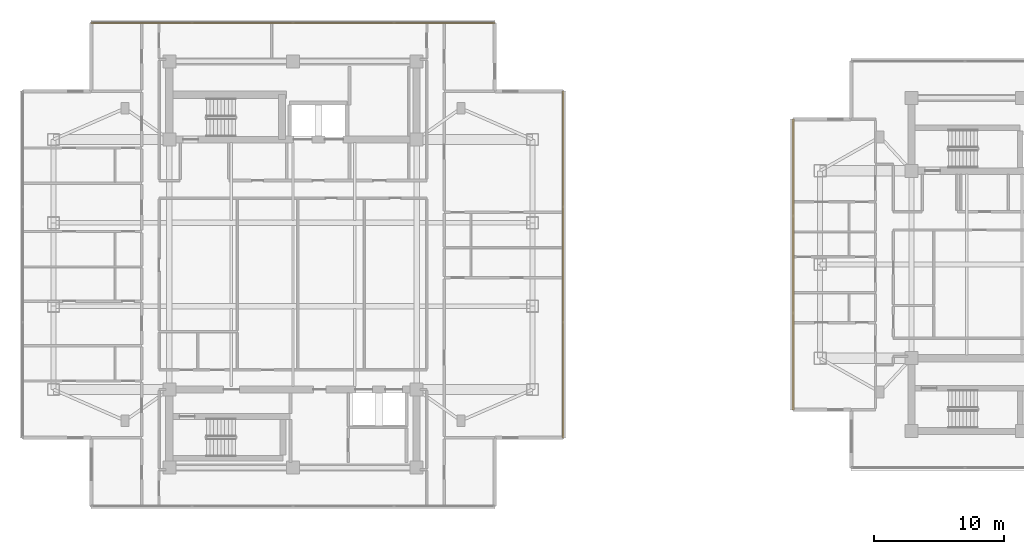
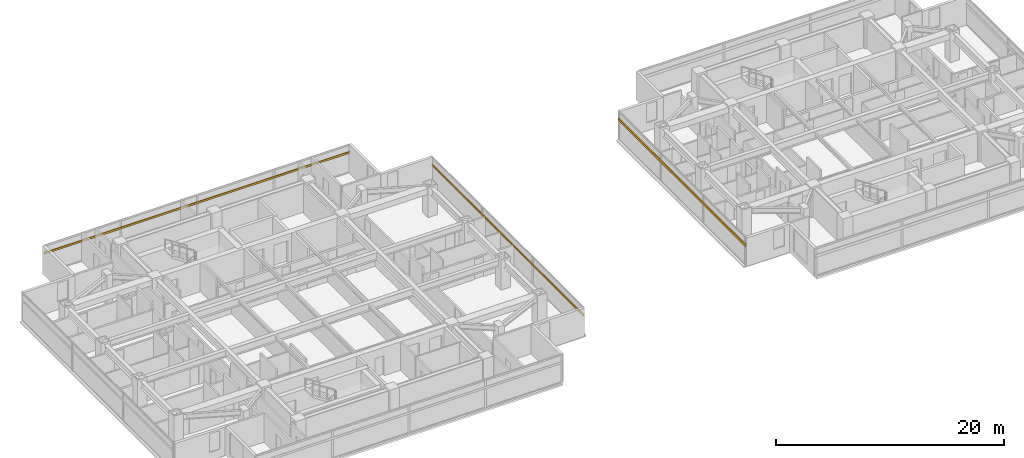
# One storey, part 21 of 24: 3 shading devices.
"""IFC4 building model written with IfcOpenShell, lengths in metres."""

import ifcopenshell
import ifcopenshell.guid

model = None  # the IFC model being written
_history = None  # IfcOwnerHistory: only IFC2X3 demands one
_inside = {}  # id of a spatial element -> (the spatial element, [elements in it])
_under = {}  # id of a project, library or spatial element -> (it, [spatial elements below it])
_declared = {}  # id of a project -> (the project, [libraries it declares])
_typed = {}  # id of a type object -> (the type object, [elements of that type])
_made_of = {}  # id of a material, layer set ... -> (it, [elements and type objects made of it])


def new_model(schema):
    """Start an empty IFC model of exactly this schema.

    Asked for "IFC4X3", IfcOpenShell would pick the latest addendum, in which some entities
    have other attributes; the version numbers below select the first issue.
    IFC2X3 requires an IfcOwnerHistory on every rooted entity: one is made here for all.
    """
    global model, _history
    if schema == "IFC4X3":
        model = ifcopenshell.file(schema_version=(4, 3, 0, 0))
    else:
        model = ifcopenshell.file(schema=schema)
    _inside.clear()
    _under.clear()
    _declared.clear()
    _typed.clear()
    _made_of.clear()
    _history = None
    if model.schema == "IFC2X3":
        org = make("IfcOrganization", Name="unknown")
        user = make(
            "IfcPersonAndOrganization",
            ThePerson=make("IfcPerson", FamilyName="unknown"),
            TheOrganization=org,
        )
        app = make(
            "IfcApplication",
            ApplicationDeveloper=org,
            Version="unknown",
            ApplicationFullName="unknown",
            ApplicationIdentifier="unknown",
        )
        _history = make(
            "IfcOwnerHistory",
            OwningUser=user,
            OwningApplication=app,
            ChangeAction="ADDED",
            CreationDate=0,
        )
    return model


def make(cls, **values):
    """One entity of the class cls with the attributes given. An attribute that is None is left unset."""
    return model.create_entity(
        cls, **{name: value for name, value in values.items() if value is not None}
    )


def rooted(cls, **values):
    """An entity with a GlobalId (a new one), such as an element, a storey or a relation."""
    return make(cls, GlobalId=ifcopenshell.guid.new(), OwnerHistory=_history, **values)


def si_unit(unit_type, name, prefix=None):
    """IfcSIUnit, for example si_unit("LENGTHUNIT", "METRE", prefix="MILLI")."""
    return make("IfcSIUnit", UnitType=unit_type, Prefix=prefix, Name=name)


def assignment(units):
    """IfcUnitAssignment: the units of a project."""
    return None if units is None else make("IfcUnitAssignment", Units=units)


def point(xyz):
    """IfcCartesianPoint."""
    return None if xyz is None else make("IfcCartesianPoint", Coordinates=xyz)


def direction(xyz):
    """IfcDirection."""
    return None if xyz is None else make("IfcDirection", DirectionRatios=xyz)


def frame(location, z_axis=None, x_axis=None):
    """IfcAxis2Placement3D, a coordinate frame: its origin and axes. An axis left out is left unset."""
    return make(
        "IfcAxis2Placement3D",
        Location=point(location),
        Axis=direction(z_axis),
        RefDirection=direction(x_axis),
    )


def frame_2d(location, x_axis=None):
    """IfcAxis2Placement2D, a coordinate frame in the plane: its origin and x axis."""
    return make(
        "IfcAxis2Placement2D", Location=point(location), RefDirection=direction(x_axis)
    )


def origin():
    """The frame at (0, 0, 0) with its axes left unset."""
    return frame((0.0, 0.0, 0.0))


def origin_2d():
    """The frame at (0, 0) in the plane with its x axis left unset."""
    return frame_2d((0.0, 0.0))


def place(relative_to, where):
    """IfcLocalPlacement: puts the frame where relative to a parent placement (None: the world)."""
    return make(
        "IfcLocalPlacement", PlacementRelTo=relative_to, RelativePlacement=where
    )


def context(
    kind, dimensions, precision=None, world=None, true_north=None, identifier=None
):
    """IfcGeometricRepresentationContext, for example the 3D "Model" context."""
    return make(
        "IfcGeometricRepresentationContext",
        ContextIdentifier=identifier,
        ContextType=kind,
        CoordinateSpaceDimension=dimensions,
        Precision=precision,
        WorldCoordinateSystem=world,
        TrueNorth=true_north,
    )


def subcontext(parent, identifier, kind, view, scale=None):
    """IfcGeometricRepresentationSubContext, for example "Body" below "Model"."""
    return make(
        "IfcGeometricRepresentationSubContext",
        ContextIdentifier=identifier,
        ContextType=kind,
        ParentContext=parent,
        TargetScale=scale,
        TargetView=view,
    )


def project(units=None, contexts=None):
    """IfcProject with its units and contexts."""
    return rooted(
        "IfcProject",
        Name="project",
        RepresentationContexts=contexts,
        UnitsInContext=assignment(units),
    )


def spatial(cls, under=None, at=None, **own):
    """A site, building, storey or space (cls), placed at a placement, below another one or the project."""
    s = rooted(cls, ObjectPlacement=at, **own)
    if under is not None:
        _under.setdefault(under.id(), (under, []))[1].append(s)
    return s


def profile(cls, at=None, kind="AREA", **sizes):
    """A parametric profile (cls). Its sizes go by their IFC names, for example OverallWidth=200.0."""
    return make(cls, ProfileType=kind, Position=at, **sizes)


def rectangle(**sizes):
    """IfcRectangleProfileDef."""
    return profile("IfcRectangleProfileDef", **sizes)


def extrude(swept, where, along, depth):
    """IfcExtrudedAreaSolid: the profile swept, set in the frame where, extruded along a direction by depth."""
    return make(
        "IfcExtrudedAreaSolid",
        SweptArea=swept,
        Position=where,
        ExtrudedDirection=direction(along),
        Depth=depth,
    )


def shape(context_of_items, identifier, shape_type, items):
    """IfcShapeRepresentation: the items that make up one representation, for example the "Body"."""
    return make(
        "IfcShapeRepresentation",
        ContextOfItems=context_of_items,
        RepresentationIdentifier=identifier,
        RepresentationType=shape_type,
        Items=items,
    )


def material(Name=None, Category=None):
    """IfcMaterial."""
    return make("IfcMaterial", Name=Name, Category=Category)


def material_profile(
    of_material, cross_section, Name=None, Category=None, Priority=None
):
    """IfcMaterialProfile: a cross section and its material."""
    return make(
        "IfcMaterialProfile",
        Name=Name,
        Material=of_material,
        Profile=cross_section,
        Priority=Priority,
        Category=Category,
    )


def profile_set(profiles, Name=None, composite=None):
    """IfcMaterialProfileSet."""
    return make(
        "IfcMaterialProfileSet",
        Name=Name,
        MaterialProfiles=profiles,
        CompositeProfile=composite,
    )


def made_of(thing, what):
    """Note that an element or type object is made of a material, layer set ...; save() writes the relation."""
    if what is not None:
        _made_of.setdefault(what.id(), (what, []))[1].append(thing)
    return thing


def type_object(cls, material=None, **own):
    """A type object (cls), such as IfcWallType, which elements share."""
    return made_of(rooted(cls, **own), material)


def element(
    cls,
    number,
    at=None,
    inside=None,
    cuts=None,
    type_object=None,
    material=None,
    context=None,
    identifier="Body",
    shape_type=None,
    held_by="IfcProductDefinitionShape",
    body=None,
    shapes=None,
    **own,
):
    """One element of the class cls, such as IfcWall. Its Tag is "e" and its number.

    at: its placement. inside: the storey or other place that contains it. cuts: it is an
    opening in that element (IfcRelVoidsElement). A single representation is given by context,
    identifier, shape_type and body (its items); several are given by shapes. held_by: the class
    of the entity that holds the representations. save() writes the other relations.
    """
    e = rooted(cls, Tag="e%d" % number, ObjectPlacement=at, **own)
    if body is not None:
        shapes = [shape(context, identifier, shape_type, body)]
    if shapes is not None:
        e.Representation = make(held_by, Representations=shapes)
    if inside is not None:
        _inside.setdefault(inside.id(), (inside, []))[1].append(e)
    if cuts is not None:
        rooted(
            "IfcRelVoidsElement", RelatingBuildingElement=cuts, RelatedOpeningElement=e
        )
    if type_object is not None:
        _typed.setdefault(type_object.id(), (type_object, []))[1].append(e)
    return made_of(e, material)


def aggregate(whole, parts):
    """IfcRelAggregates: a whole, such as a stair, and the parts it consists of."""
    return rooted("IfcRelAggregates", RelatingObject=whole, RelatedObjects=parts)


def save(model, path):
    """Write the relations noted so far, then the file.

    IfcRelAggregates (storeys below a building ...), IfcRelContainedInSpatialStructure (elements
    in a storey), IfcRelDefinesByType, IfcRelAssociatesMaterial and IfcRelDeclares: one each for
    every whole, place, type object, material and project.
    """
    for whole, parts in _under.values():
        aggregate(whole, parts)
    for where, things in _inside.values():
        rooted(
            "IfcRelContainedInSpatialStructure",
            RelatedElements=things,
            RelatingStructure=where,
        )
    for kind, things in _typed.values():
        rooted("IfcRelDefinesByType", RelatedObjects=things, RelatingType=kind)
    for what, things in _made_of.values():
        rooted("IfcRelAssociatesMaterial", RelatedObjects=things, RelatingMaterial=what)
    for by, libraries in _declared.values():
        rooted("IfcRelDeclares", RelatingContext=by, RelatedDefinitions=libraries)
    model.write(path)


model = new_model("IFC4")

# Units and contexts
model_context = context("Model", 3, precision=1e-05, world=origin(), true_north=direction((0.0, 1.0)))
body_context = subcontext(model_context, "Body", "Model", "MODEL_VIEW")
ifc_project = project(units=[si_unit("LENGTHUNIT", "METRE"), si_unit("AREAUNIT", "SQUARE_METRE"), si_unit("VOLUMEUNIT", "CUBIC_METRE"), si_unit("PLANEANGLEUNIT", "RADIAN"), si_unit("MASSUNIT", "GRAM", prefix="KILO")], contexts=[model_context])

# Site, building, storey
site_placement = place(None, origin())
site = spatial("IfcSite", under=ifc_project, at=site_placement, CompositionType="ELEMENT")
building_placement = place(site_placement, origin())
building = spatial("IfcBuilding", under=site, at=building_placement, Name="Mirazonda Arch Towers", CompositionType="ELEMENT")
storey_placement = place(building_placement, frame((0.0, 0.0, 167.39990234375)))
storey = spatial("IfcBuildingStorey", under=building, at=storey_placement, Name="L47", CompositionType="ELEMENT", Elevation=167.39990234375)

# Shading devices
ifc_material = material(Name="Kiln-Fired Architectural Terracotta", Category="masonry")
ifc_material_profile_1 = material_profile(ifc_material, rectangle(XDim=0.10009765625, YDim=0.199951171875, at=origin_2d()), Name="TERRA-BAG-100x200")
ifc_profile_set_1 = profile_set([ifc_material_profile_1], Name="Kiln-Fired Architectural Terracotta")
shading_device_type_1 = type_object("IfcShadingDeviceType", Name="BAGUETTE-2", PredefinedType="USERDEFINED", material=ifc_profile_set_1)
shading_device_1_placement = place(storey_placement, frame((41.25, 14.68310546875, 2.181640625), z_axis=(0.0, 1.0, 0.0), x_axis=(-1.0, 0.0, 0.0)))
element("IfcShadingDevice", 1, at=shading_device_1_placement, inside=storey, type_object=shading_device_type_1, Name="L47 Glazed Terracotta Sun-Screen Baguette CW-L47-T1-E", ObjectType="BAGUETTE", PredefinedType="USERDEFINED", context=body_context, shape_type="SweptSolid", body=[
    extrude(rectangle(XDim=0.10009765625, YDim=0.199951171875, at=origin_2d()), origin(), (0.0, 0.0, 1.0), 26.6337890625),
])
shading_device_2_placement = place(storey_placement, frame((4.9951171875, 46.56201171875, 2.181640625), z_axis=(1.0, 0.0, 0.0), x_axis=(0.0, 1.0, 0.0)))
element("IfcShadingDevice", 2, at=shading_device_2_placement, inside=storey, type_object=shading_device_type_1, Name="L47 Glazed Terracotta Sun-Screen Baguette CW-L47-T1-N", ObjectType="BAGUETTE", PredefinedType="USERDEFINED", context=body_context, shape_type="SweptSolid", body=[
    extrude(rectangle(XDim=0.10009765625, YDim=0.199951171875, at=origin_2d()), origin(), (0.0, 0.0, 1.0), 31.009765625),
])
ifc_material_profile_2 = material_profile(ifc_material, rectangle(XDim=0.139892578125, YDim=0.280029296875, at=origin_2d()), Name="TERRA-BAG-140x280")
ifc_profile_set_2 = profile_set([ifc_material_profile_2], Name="Kiln-Fired Architectural Terracotta")
shading_device_type_2 = type_object("IfcShadingDeviceType", Name="BAGUETTE-3", PredefinedType="USERDEFINED", material=ifc_profile_set_2)
shading_device_3_placement = place(storey_placement, frame((58.91552734375, 39.159423828125, 2.181640625), z_axis=(0.0, -1.0, 0.0), x_axis=(1.0, 0.0, 0.0)))
element("IfcShadingDevice", 3, at=shading_device_3_placement, inside=storey, type_object=shading_device_type_2, Name="L47 Glazed Terracotta Sun-Screen Baguette CW-L47-T2-W", ObjectType="BAGUETTE", PredefinedType="USERDEFINED", context=body_context, shape_type="SweptSolid", body=[
    extrude(rectangle(XDim=0.139892578125, YDim=0.280029296875, at=origin_2d()), origin(), (0.0, 0.0, 1.0), 22.31884765625),
])

save(model, "model.ifc")
